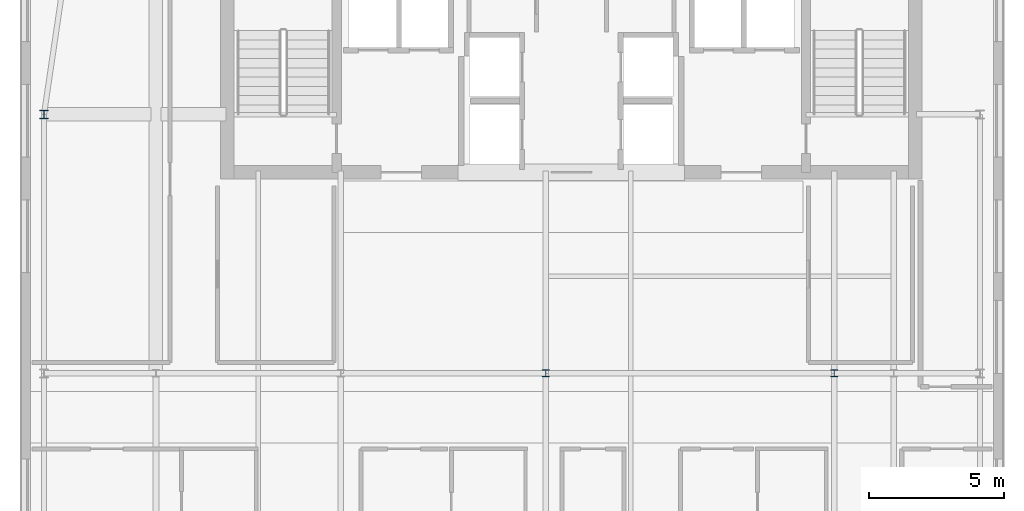
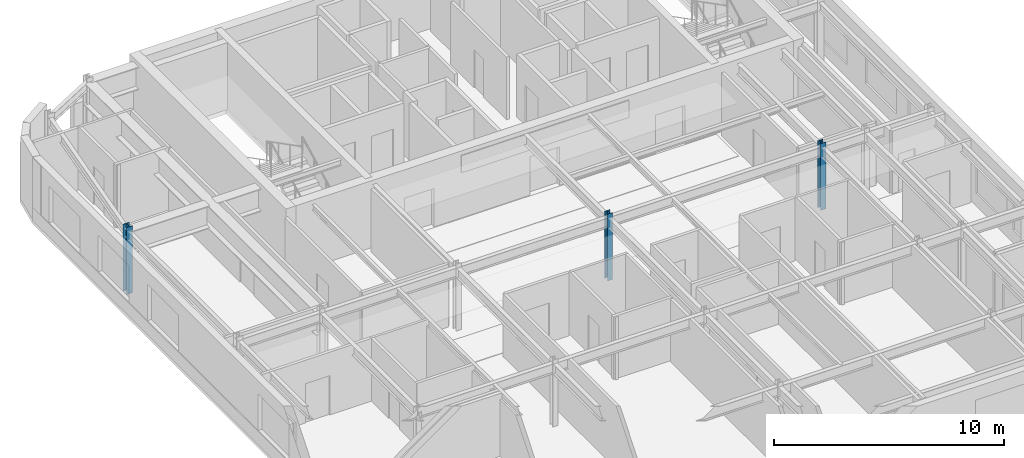
# One storey, part 2 of 15: 3 columns.
"""IFC4 building model written with IfcOpenShell, lengths in metres."""

from ifc_helpers import new_model, si_unit, direction, frame, origin, origin_2d, place, context, subcontext, project, spatial, i_section, extrude, source, transform, mapped, material, material_profile, profile_set, type_object, type_shapes, element, save


model = new_model("IFC4")

# Units and contexts
model_context = context("Model", 3, precision=1e-05, world=origin(), true_north=direction((0.0, 1.0)))
body_context = subcontext(model_context, "Body", "Model", "MODEL_VIEW")
ifc_project = project(units=[si_unit("LENGTHUNIT", "METRE"), si_unit("AREAUNIT", "SQUARE_METRE"), si_unit("VOLUMEUNIT", "CUBIC_METRE"), si_unit("PLANEANGLEUNIT", "RADIAN"), si_unit("MASSUNIT", "GRAM", prefix="KILO")], contexts=[model_context])

# Site, building, storey
site_placement = place(None, origin())
site = spatial("IfcSite", under=ifc_project, at=site_placement, CompositionType="ELEMENT")
building_placement = place(site_placement, origin())
building = spatial("IfcBuilding", under=site, at=building_placement, Name="Tolvann Quenvar Hotel", CompositionType="ELEMENT")
storey_placement = place(building_placement, frame((0.0, 0.0, 278.60009765625)))
storey = spatial("IfcBuildingStorey", under=building, at=storey_placement, Name="L74", CompositionType="ELEMENT", Elevation=278.60009765625)

# Columns
ifc_material = material(Name="Steel Grade 350", Category="steel")
ifc_material_profile_1 = material_profile(ifc_material, i_section(OverallWidth=0.306884765625, OverallDepth=0.31494140625, WebThickness=0.011962890625, FlangeThickness=0.018798828125, FilletRadius=0.0166015625, at=origin_2d()), Name="310UC118")
ifc_profile_set_1 = profile_set([ifc_material_profile_1], Name="Steel Grade 350")
column_type_1 = type_object("IfcColumnType", Name="COL_310UC118", PredefinedType="COLUMN", material=ifc_profile_set_1)
shared_shape_1 = source(origin(), body_context, "Body", "SweptSolid", [
    extrude(i_section(OverallWidth=0.306884765625, OverallDepth=0.31494140625, WebThickness=0.011962890625, FlangeThickness=0.018798828125, FilletRadius=0.0166015625, at=origin_2d()), origin(), (0.0, 0.0, 1.0), 3.5498046875),
])
type_shapes(column_type_1, [shared_shape_1])
column_placement = place(storey_placement, frame((3.449951171875, 34.0, 0.0), z_axis=(0.0, 0.0, 1.0), x_axis=(1.0, 0.0, 0.0)))
element("IfcColumn", 1, at=column_placement, inside=storey, type_object=column_type_1, Name="Column BD6 (L74)", PredefinedType="COLUMN", context=body_context, shape_type="MappedRepresentation", body=[
    mapped(shared_shape_1, transform((0.0, 0.0, 0.0), x_axis=(1.0, 0.0, 0.0), y_axis=(0.0, 1.0, 0.0), z_axis=(0.0, 0.0, 1.0), scale=1.0)),
])
ifc_material_profile_2 = material_profile(ifc_material, i_section(OverallWidth=0.256103515625, OverallDepth=0.260009765625, WebThickness=0.010498046875, FlangeThickness=0.017333984375, FilletRadius=0.013916015625, at=origin_2d()), Name="250UC90")
ifc_profile_set_2 = profile_set([ifc_material_profile_2], Name="Steel Grade 350")
column_type_2 = type_object("IfcColumnType", Name="COL_250UC90", PredefinedType="COLUMN", material=ifc_profile_set_2)
shared_shape_2 = source(origin(), body_context, "Body", "SweptSolid", [
    extrude(i_section(OverallWidth=0.256103515625, OverallDepth=0.260009765625, WebThickness=0.010498046875, FlangeThickness=0.017333984375, FilletRadius=0.013916015625, at=origin_2d()), origin(), (0.0, 0.0, 1.0), 3.5498046875),
])
type_shapes(column_type_2, [shared_shape_2])
for number, where, z_axis, x_axis, name in (
    (2, (22.050048828125, 24.39990234375, 0.0), (0.0, 0.0, 1.0), (1.0, 0.0, 0.0), "Column E5 (L74)"),
    (3, (32.75, 24.39990234375, 0.0), (0.0, 0.0, 1.0), (1.0, 0.0, 0.0), "Column FP5 (L74)"),
):
    element("IfcColumn", number, at=place(storey_placement, frame(where, z_axis=z_axis, x_axis=x_axis)), inside=storey, type_object=column_type_2, Name=name, PredefinedType="COLUMN", context=body_context, shape_type="MappedRepresentation", body=[
        mapped(shared_shape_2, transform((0.0, 0.0, 0.0), x_axis=(1.0, 0.0, 0.0), y_axis=(0.0, 1.0, 0.0), z_axis=(0.0, 0.0, 1.0), scale=1.0)),
    ])

save(model, "model.ifc")
